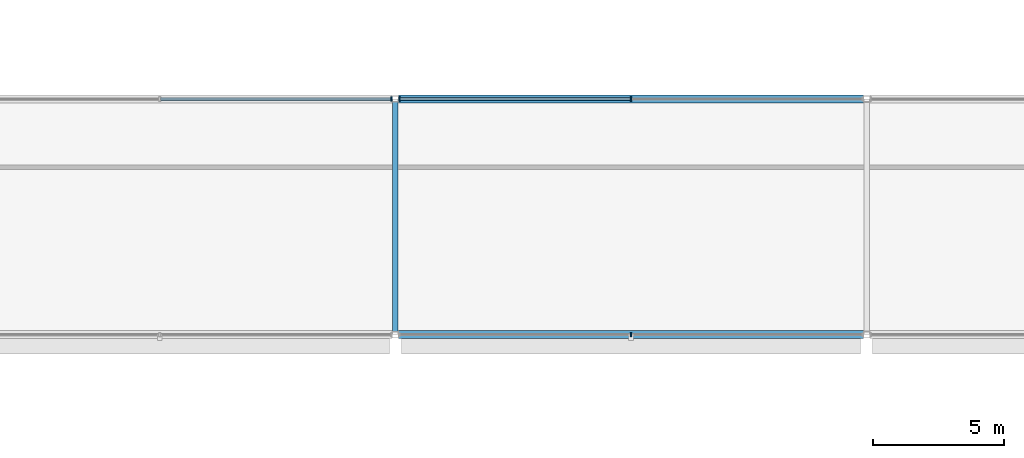
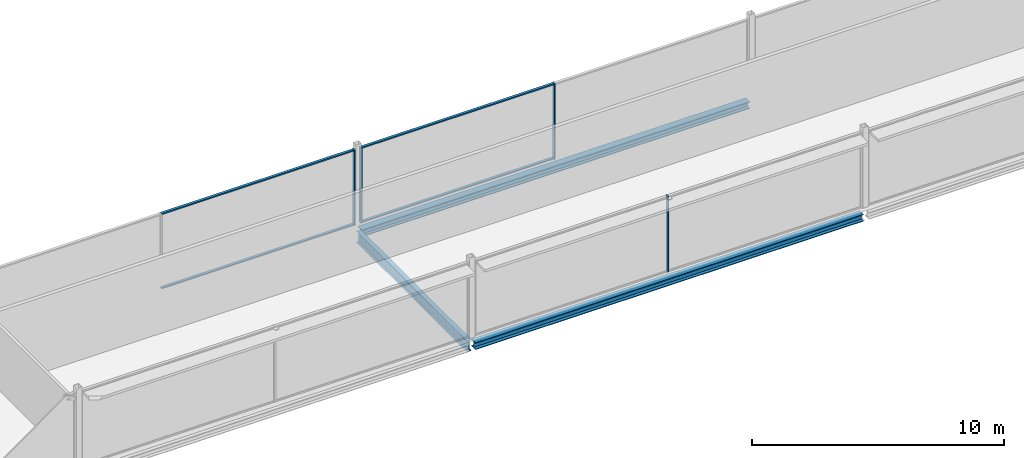
# One storey, part 38 of 96: 8 members, 3 beams, 3 elements without a shape of their own.
"""IFC4 building model written with IfcOpenShell, lengths in metres."""

from ifc_helpers import new_model, si_unit, direction, frame, origin, origin_2d, place, context, subcontext, project, spatial, rectangle, i_section, extrude, material, layer, layer_set, material_profile, profile_set, type_object, element, aggregate, save


model = new_model("IFC4")

# Units and contexts
model_context = context("Model", 3, precision=1e-05, world=origin(), true_north=direction((0.0, 1.0)))
body_context = subcontext(model_context, "Body", "Model", "MODEL_VIEW")
ifc_project = project(units=[si_unit("LENGTHUNIT", "METRE"), si_unit("AREAUNIT", "SQUARE_METRE"), si_unit("VOLUMEUNIT", "CUBIC_METRE"), si_unit("PLANEANGLEUNIT", "RADIAN"), si_unit("MASSUNIT", "GRAM", prefix="KILO")], contexts=[model_context])

# Site, building, storey
site_placement = place(None, origin())
site = spatial("IfcSite", under=ifc_project, at=site_placement, CompositionType="ELEMENT")
building_placement = place(site_placement, origin())
building = spatial("IfcBuilding", under=site, at=building_placement, Name="Kisiwana Market Hall", CompositionType="ELEMENT")
storey_placement = place(building_placement, frame((0.0, 0.0, 25.5)))
storey = spatial("IfcBuildingStorey", under=building, at=storey_placement, Name="L05", CompositionType="ELEMENT", Elevation=25.5)

# Beams
ifc_material_1 = material(Name="Steel S355", Category="steel")
ifc_material_profile_1 = material_profile(ifc_material_1, i_section(OverallWidth=0.209228515625, OverallDepth=0.533203125, WebThickness=0.010009765625, FlangeThickness=0.015625, at=origin_2d()), Name="UB 533x210x92")
ifc_profile_set_1 = profile_set([ifc_material_profile_1], Name="Steel S355")
beam_type_1 = type_object("IfcBeamType", Name="BM-GIRD-UB533", PredefinedType="BEAM", material=ifc_profile_set_1)
beam_placement = place(storey_placement, frame((117.0, 93.12109375, -0.531494140625), z_axis=(0.0, 1.0, 0.0), x_axis=(-1.0, 0.0, 0.0)))
element("IfcBeam", 1, at=beam_placement, inside=storey, type_object=beam_type_1, Name="Primary girder B-1546", PredefinedType="BEAM", context=body_context, shape_type="SweptSolid", body=[
    extrude(i_section(OverallWidth=0.209228515625, OverallDepth=0.533203125, WebThickness=0.010009765625, FlangeThickness=0.015625, at=origin_2d()), origin(), (0.0, 0.0, 1.0), 8.7578125),
])
ifc_material_2 = material(Name="Steel S355", Category="steel")
ifc_material_profile_2 = material_profile(ifc_material_2, i_section(OverallWidth=0.314453125, OverallDepth=0.33984375, WebThickness=0.01904296875, FlangeThickness=0.031494140625, at=origin_2d()), Name="UC 305x305x198")
ifc_profile_set_2 = profile_set([ifc_material_profile_2], Name="Steel S355")
beam_type_2 = type_object("IfcBeamType", Name="BM-SKYBR-CHORD", PredefinedType="BEAM", material=ifc_profile_set_2)
for number, where, z_axis, x_axis, name in (
    (2, (117.12109375, 93.0, -0.43505859375), (1.0, 0.0, 0.0), (0.0, 1.0, 0.0), "Floor beam B-1645"),
    (3, (117.12109375, 102.0, -0.43505859375), (1.0, 0.0, 0.0), (0.0, 1.0, 0.0), "Floor beam B-1655"),
):
    element("IfcBeam", number, at=place(storey_placement, frame(where, z_axis=z_axis, x_axis=x_axis)), inside=storey, type_object=beam_type_2, Name=name, PredefinedType="BEAM", context=body_context, shape_type="SweptSolid", body=[
        extrude(i_section(OverallWidth=0.314453125, OverallDepth=0.33984375, WebThickness=0.01904296875, FlangeThickness=0.031494140625, at=origin_2d()), origin(), (0.0, 0.0, 1.0), 17.7578125),
    ])

# Curtain wall, member
ifc_material_3 = material(Name="Double-glazed solar-control low-E IGU", Category="glass")
ifc_layer = layer(ifc_material_3, 0.159912109375)
ifc_layer_set = layer_set([ifc_layer], Name="CW-ZNA-EW-8200")
curtain_wall_type = type_object("IfcCurtainWallType", Name="CW-ZNA-EW-8200", PredefinedType="USERDEFINED", material=ifc_layer_set)
curtain_wall_1_placement = place(storey_placement, origin())
curtain_wall_1 = element("IfcCurtainWall", 4, at=curtain_wall_1_placement, inside=storey, type_object=curtain_wall_type, Name="Unitised curtain wall CW-148 (L05)", ObjectType="UNITISED CURTAIN WALL", PredefinedType="USERDEFINED")
ifc_material_4 = material(Name="Aluminium alloy 6063-T6", Category="aluminium")
ifc_material_profile_3 = material_profile(ifc_material_4, rectangle(XDim=0.06005859375, YDim=0.159912109375, at=origin_2d()), Name="ALU MULLION 60x160")
ifc_profile_set_3 = profile_set([ifc_material_profile_3], Name="Aluminium alloy 6063-T6")
member_type_1 = type_object("IfcMemberType", Name="CW-MULL-60x160", PredefinedType="MULLION", material=ifc_profile_set_3)
member_1_placement = place(storey_placement, frame((126.0, 93.0, 0.0), z_axis=(0.0, 0.0, 1.0), x_axis=(1.0, 0.0, 0.0)))
member_1 = element("IfcMember", 5, at=member_1_placement, type_object=member_type_1, Name="CW-148 mullion 2", PredefinedType="MULLION", context=body_context, shape_type="SweptSolid", body=[
    extrude(rectangle(XDim=0.06005859375, YDim=0.159912109375, at=origin_2d()), origin(), (0.0, 0.0, 1.0), 3.655029296875),
])
aggregate(curtain_wall_1, [member_1])

curtain_wall_2_placement = place(storey_placement, origin())
curtain_wall_2 = element("IfcCurtainWall", 6, at=curtain_wall_2_placement, inside=storey, type_object=curtain_wall_type, Name="Unitised curtain wall CW-153 (L05)", ObjectType="UNITISED CURTAIN WALL", PredefinedType="USERDEFINED")
member_2_placement = place(storey_placement, frame((116.844970703125, 102.0, 0.0), z_axis=(0.0, 0.0, 1.0), x_axis=(1.0, 0.0, 0.0)))
member_2 = element("IfcMember", 7, at=member_2_placement, type_object=member_type_1, Name="CW-153 mullion 3", PredefinedType="MULLION", context=body_context, shape_type="SweptSolid", body=[
    extrude(rectangle(XDim=0.06005859375, YDim=0.159912109375, at=origin_2d()), origin(), (0.0, 0.0, 1.0), 3.655029296875),
])

# Curtain wall, members
curtain_wall_3_placement = place(storey_placement, origin())
curtain_wall_3 = element("IfcCurtainWall", 8, at=curtain_wall_3_placement, inside=storey, type_object=curtain_wall_type, Name="Unitised curtain wall CW-154 (L05)", ObjectType="UNITISED CURTAIN WALL", PredefinedType="USERDEFINED")
member_3_placement = place(storey_placement, frame((117.155029296875, 102.0, 0.0), z_axis=(0.0, 0.0, 1.0), x_axis=(1.0, 0.0, 0.0)))
member_3 = element("IfcMember", 9, at=member_3_placement, type_object=member_type_1, Name="CW-154 mullion 1", PredefinedType="MULLION", context=body_context, shape_type="SweptSolid", body=[
    extrude(rectangle(XDim=0.06005859375, YDim=0.159912109375, at=origin_2d()), origin(), (0.0, 0.0, 1.0), 3.655029296875),
])
member_4_placement = place(storey_placement, frame((126.0, 102.0, 0.0), z_axis=(0.0, 0.0, 1.0), x_axis=(1.0, 0.0, 0.0)))
member_4 = element("IfcMember", 10, at=member_4_placement, type_object=member_type_1, Name="CW-154 mullion 2", PredefinedType="MULLION", context=body_context, shape_type="SweptSolid", body=[
    extrude(rectangle(XDim=0.06005859375, YDim=0.159912109375, at=origin_2d()), origin(), (0.0, 0.0, 1.0), 3.655029296875),
])

# Member
ifc_material_5 = material(Name="Aluminium alloy 6063-T6", Category="aluminium")
ifc_material_profile_4 = material_profile(ifc_material_5, rectangle(XDim=0.1201171875, YDim=0.06005859375, at=origin_2d()), Name="ALU TRANSOM 60x120")
ifc_profile_set_4 = profile_set([ifc_material_profile_4], Name="Aluminium alloy 6063-T6")
member_type_2 = type_object("IfcMemberType", Name="CW-TRAN-60x120", PredefinedType="USERDEFINED", material=ifc_profile_set_4)
member_5_placement = place(storey_placement, frame((108.030029296875, 102.0, 0.030029296875), z_axis=(1.0, 0.0, 0.0), x_axis=(0.0, 1.0, 0.0)))
member_5 = element("IfcMember", 11, at=member_5_placement, type_object=member_type_2, Name="CW-153 transom 2.1", ObjectType="TRANSOM", PredefinedType="USERDEFINED", context=body_context, shape_type="SweptSolid", body=[
    extrude(rectangle(XDim=0.1201171875, YDim=0.06005859375, at=origin_2d()), origin(), (0.0, 0.0, 1.0), 8.784912109375),
])

member_6_placement = place(storey_placement, frame((108.030029296875, 102.0, 3.625), z_axis=(1.0, 0.0, 0.0), x_axis=(0.0, 1.0, 0.0)))
member_6 = element("IfcMember", 12, at=member_6_placement, type_object=member_type_2, Name="CW-153 transom 2.2", ObjectType="TRANSOM", PredefinedType="USERDEFINED", context=body_context, shape_type="SweptSolid", body=[
    extrude(rectangle(XDim=0.1201171875, YDim=0.06005859375, at=origin_2d()), origin(), (0.0, 0.0, 1.0), 8.784912109375),
])

aggregate(curtain_wall_2, [member_2, member_5, member_6])

member_7_placement = place(storey_placement, frame((117.18505859375, 102.0, 0.030029296875), z_axis=(1.0, 0.0, 0.0), x_axis=(0.0, 1.0, 0.0)))
member_7 = element("IfcMember", 13, at=member_7_placement, type_object=member_type_2, Name="CW-154 transom 1.1", ObjectType="TRANSOM", PredefinedType="USERDEFINED", context=body_context, shape_type="SweptSolid", body=[
    extrude(rectangle(XDim=0.1201171875, YDim=0.06005859375, at=origin_2d()), origin(), (0.0, 0.0, 1.0), 8.784912109375),
])

member_8_placement = place(storey_placement, frame((117.18505859375, 102.0, 3.625), z_axis=(1.0, 0.0, 0.0), x_axis=(0.0, 1.0, 0.0)))
member_8 = element("IfcMember", 14, at=member_8_placement, type_object=member_type_2, Name="CW-154 transom 1.2", ObjectType="TRANSOM", PredefinedType="USERDEFINED", context=body_context, shape_type="SweptSolid", body=[
    extrude(rectangle(XDim=0.1201171875, YDim=0.06005859375, at=origin_2d()), origin(), (0.0, 0.0, 1.0), 8.784912109375),
])

aggregate(curtain_wall_3, [member_3, member_4, member_7, member_8])

save(model, "model.ifc")
